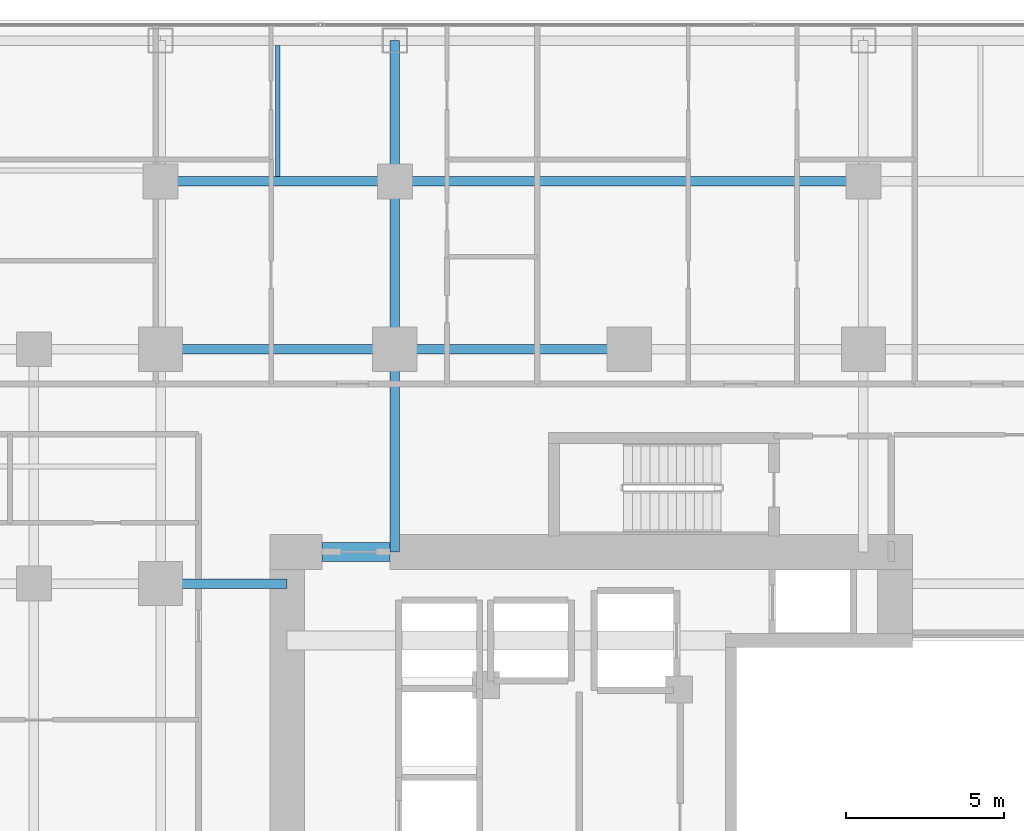
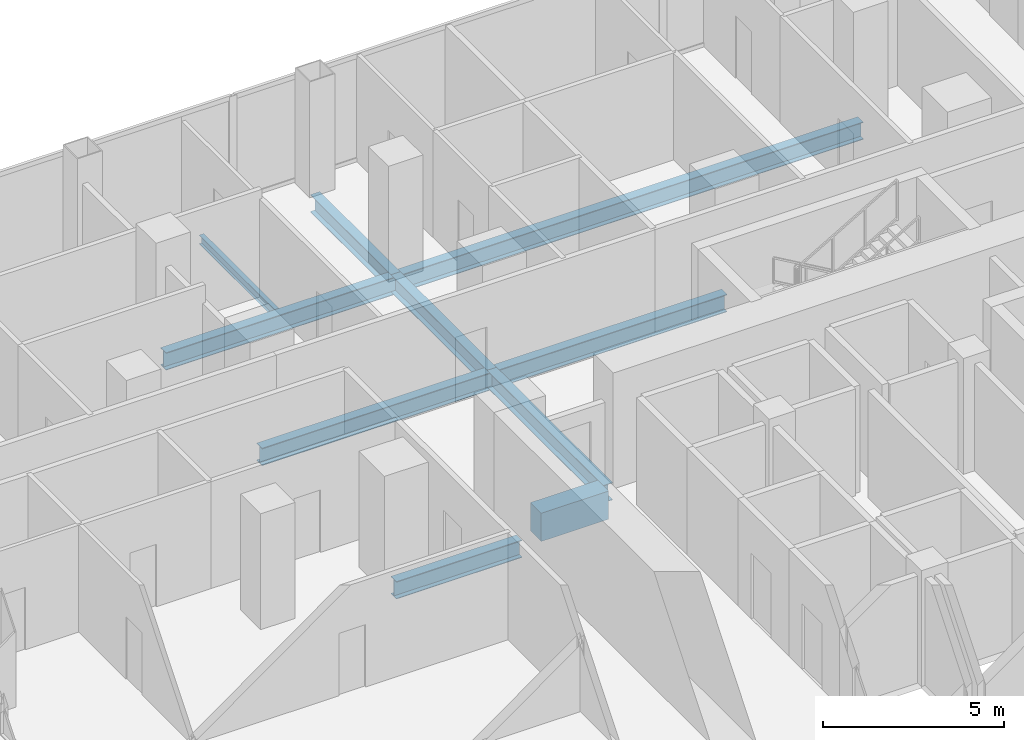
# One storey, part 14 of 29: 10 beams.
"""IFC4 building model written with IfcOpenShell, lengths in metres."""

from ifc_helpers import new_model, si_unit, direction, frame, origin, origin_2d, place, context, subcontext, project, spatial, rectangle, i_section, extrude, material, material_profile, profile_set, type_object, element, save


model = new_model("IFC4")

# Units and contexts
model_context = context("Model", 3, precision=1e-05, world=origin(), true_north=direction((0.0, 1.0)))
body_context = subcontext(model_context, "Body", "Model", "MODEL_VIEW")
ifc_project = project(units=[si_unit("LENGTHUNIT", "METRE"), si_unit("AREAUNIT", "SQUARE_METRE"), si_unit("VOLUMEUNIT", "CUBIC_METRE"), si_unit("PLANEANGLEUNIT", "RADIAN"), si_unit("MASSUNIT", "GRAM", prefix="KILO")], contexts=[model_context])

# Site, building, storey
site_placement = place(None, origin())
site = spatial("IfcSite", under=ifc_project, at=site_placement, CompositionType="ELEMENT")
building_placement = place(site_placement, origin())
building = spatial("IfcBuilding", under=site, at=building_placement, Name="Khorvyn Point Tower", CompositionType="ELEMENT")
storey_placement = place(building_placement, frame((0.0, 0.0, 73.5)))
storey = spatial("IfcBuildingStorey", under=building, at=storey_placement, Name="L19", CompositionType="ELEMENT", Elevation=73.5)

# Beams
ifc_material_1 = material(Name="Concrete C50/60", Category="concrete")
ifc_material_profile_1 = material_profile(ifc_material_1, rectangle(XDim=0.60009765625, YDim=0.949951171875, at=origin_2d()))
ifc_profile_set_1 = profile_set([ifc_material_profile_1], Name="Concrete C50/60 RC600x950")
beam_type_1 = type_object("IfcBeamType", Name="Concrete C50/60 Beam RC600x950", PredefinedType="BEAM", material=ifc_profile_set_1)
beam_1_placement = place(storey_placement, frame((-9.699951171875, 8.39990234375, -0.695068359375), z_axis=(1.0, 0.0, 0.0), x_axis=(0.0, 1.0, 0.0)))
element("IfcBeam", 1, at=beam_1_placement, inside=storey, type_object=beam_type_1, Name="L19 Core Northwest Portal Coupling Beam", PredefinedType="BEAM", context=body_context, shape_type="SweptSolid", body=[
    extrude(rectangle(XDim=0.60009765625, YDim=0.949951171875, at=origin_2d()), origin(), (0.0, 0.0, 1.0), 2.14990234375),
])
ifc_material_2 = material(Name="Steel S355", Category="steel")
ifc_material_profile_2 = material_profile(ifc_material_2, i_section(OverallWidth=0.300048828125, OverallDepth=0.587890625, WebThickness=0.011962890625, FlangeThickness=0.02001953125, at=origin_2d()))
ifc_profile_set_2 = profile_set([ifc_material_profile_2], Name="Steel S355 H588x300x12x20")
beam_type_2 = type_object("IfcBeamType", Name="Steel S355 Beam H588x300x12x20", PredefinedType="BEAM", material=ifc_profile_set_2)
beam_2_placement = place(storey_placement, frame((-14.800048828125, 14.800048828125, -0.513916015625), z_axis=(1.0, 0.0, 0.0), x_axis=(0.0, 1.0, 0.0)))
element("IfcBeam", 2, at=beam_2_placement, inside=storey, type_object=beam_type_2, Name="Beam", PredefinedType="BEAM", context=body_context, shape_type="SweptSolid", body=[
    extrude(i_section(OverallWidth=0.300048828125, OverallDepth=0.587890625, WebThickness=0.011962890625, FlangeThickness=0.02001953125, at=origin_2d()), origin(), (0.0, 0.0, 1.0), 7.400146484375),
])
beam_3_placement = place(storey_placement, frame((-7.39990234375, 14.800048828125, -0.513916015625), z_axis=(1.0, 0.0, 0.0), x_axis=(0.0, 1.0, 0.0)))
element("IfcBeam", 3, at=beam_3_placement, inside=storey, type_object=beam_type_2, Name="Beam", PredefinedType="BEAM", context=body_context, shape_type="SweptSolid", body=[
    extrude(i_section(OverallWidth=0.300048828125, OverallDepth=0.587890625, WebThickness=0.011962890625, FlangeThickness=0.02001953125, at=origin_2d()), origin(), (0.0, 0.0, 1.0), 7.39990234375),
])
beam_4_placement = place(storey_placement, frame((-14.800048828125, 7.39990234375, -0.513916015625), z_axis=(1.0, 0.0, 0.0), x_axis=(0.0, 1.0, 0.0)))
element("IfcBeam", 4, at=beam_4_placement, inside=storey, type_object=beam_type_2, Name="Beam", PredefinedType="BEAM", context=body_context, shape_type="SweptSolid", body=[
    extrude(i_section(OverallWidth=0.300048828125, OverallDepth=0.587890625, WebThickness=0.011962890625, FlangeThickness=0.02001953125, at=origin_2d()), origin(), (0.0, 0.0, 1.0), 4.0),
])
beam_5_placement = place(storey_placement, frame((-14.800048828125, 20.10009765625, -0.513916015625), z_axis=(1.0, 0.0, 0.0), x_axis=(0.0, 1.0, 0.0)))
element("IfcBeam", 5, at=beam_5_placement, inside=storey, type_object=beam_type_2, Name="Beam", PredefinedType="BEAM", context=body_context, shape_type="SweptSolid", body=[
    extrude(i_section(OverallWidth=0.300048828125, OverallDepth=0.587890625, WebThickness=0.011962890625, FlangeThickness=0.02001953125, at=origin_2d()), origin(), (0.0, 0.0, 1.0), 7.400146484375),
])
beam_6_placement = place(storey_placement, frame((-7.39990234375, 20.10009765625, -0.513916015625), z_axis=(1.0, 0.0, 0.0), x_axis=(0.0, 1.0, 0.0)))
element("IfcBeam", 6, at=beam_6_placement, inside=storey, type_object=beam_type_2, Name="Beam", PredefinedType="BEAM", context=body_context, shape_type="SweptSolid", body=[
    extrude(i_section(OverallWidth=0.300048828125, OverallDepth=0.587890625, WebThickness=0.011962890625, FlangeThickness=0.02001953125, at=origin_2d()), origin(), (0.0, 0.0, 1.0), 14.7998046875),
])
beam_7_placement = place(storey_placement, frame((-7.39990234375, 8.39990234375, -0.513916015625), z_axis=(0.0, 1.0, 0.0), x_axis=(-1.0, 0.0, 0.0)))
element("IfcBeam", 7, at=beam_7_placement, inside=storey, type_object=beam_type_2, Name="Beam", PredefinedType="BEAM", context=body_context, shape_type="SweptSolid", body=[
    extrude(i_section(OverallWidth=0.300048828125, OverallDepth=0.587890625, WebThickness=0.011962890625, FlangeThickness=0.02001953125, at=origin_2d()), origin(), (0.0, 0.0, 1.0), 6.400146484375),
])
beam_8_placement = place(storey_placement, frame((-7.39990234375, 14.800048828125, -0.513916015625), z_axis=(0.0, 1.0, 0.0), x_axis=(-1.0, 0.0, 0.0)))
element("IfcBeam", 8, at=beam_8_placement, inside=storey, type_object=beam_type_2, Name="Beam", PredefinedType="BEAM", context=body_context, shape_type="SweptSolid", body=[
    extrude(i_section(OverallWidth=0.300048828125, OverallDepth=0.587890625, WebThickness=0.011962890625, FlangeThickness=0.02001953125, at=origin_2d()), origin(), (0.0, 0.0, 1.0), 5.300048828125),
])
beam_9_placement = place(storey_placement, frame((-7.39990234375, 20.10009765625, -0.513916015625), z_axis=(0.0, 1.0, 0.0), x_axis=(-1.0, 0.0, 0.0)))
element("IfcBeam", 9, at=beam_9_placement, inside=storey, type_object=beam_type_2, Name="Beam", PredefinedType="BEAM", context=body_context, shape_type="SweptSolid", body=[
    extrude(i_section(OverallWidth=0.300048828125, OverallDepth=0.587890625, WebThickness=0.011962890625, FlangeThickness=0.02001953125, at=origin_2d()), origin(), (0.0, 0.0, 1.0), 4.449951171875),
])
ifc_material_profile_3 = material_profile(ifc_material_2, i_section(OverallWidth=0.14990234375, OverallDepth=0.300048828125, WebThickness=0.006591796875, FlangeThickness=0.009033203125, at=origin_2d()))
ifc_profile_set_3 = profile_set([ifc_material_profile_3], Name="Steel S355 H300x150x6.5x9")
beam_type_3 = type_object("IfcBeamType", Name="Steel S355 Joist H300x150x6.5x9", PredefinedType="JOIST", material=ifc_profile_set_3)
beam_10_placement = place(storey_placement, frame((-11.10009765625, 20.25, -0.3701171875), z_axis=(0.0, 1.0, 0.0), x_axis=(-1.0, 0.0, 0.0)))
element("IfcBeam", 10, at=beam_10_placement, inside=storey, type_object=beam_type_3, Name="Beam", PredefinedType="JOIST", context=body_context, shape_type="SweptSolid", body=[
    extrude(i_section(OverallWidth=0.14990234375, OverallDepth=0.300048828125, WebThickness=0.006591796875, FlangeThickness=0.009033203125, at=origin_2d()), origin(), (0.0, 0.0, 1.0), 4.14990234375),
])

save(model, "model.ifc")
